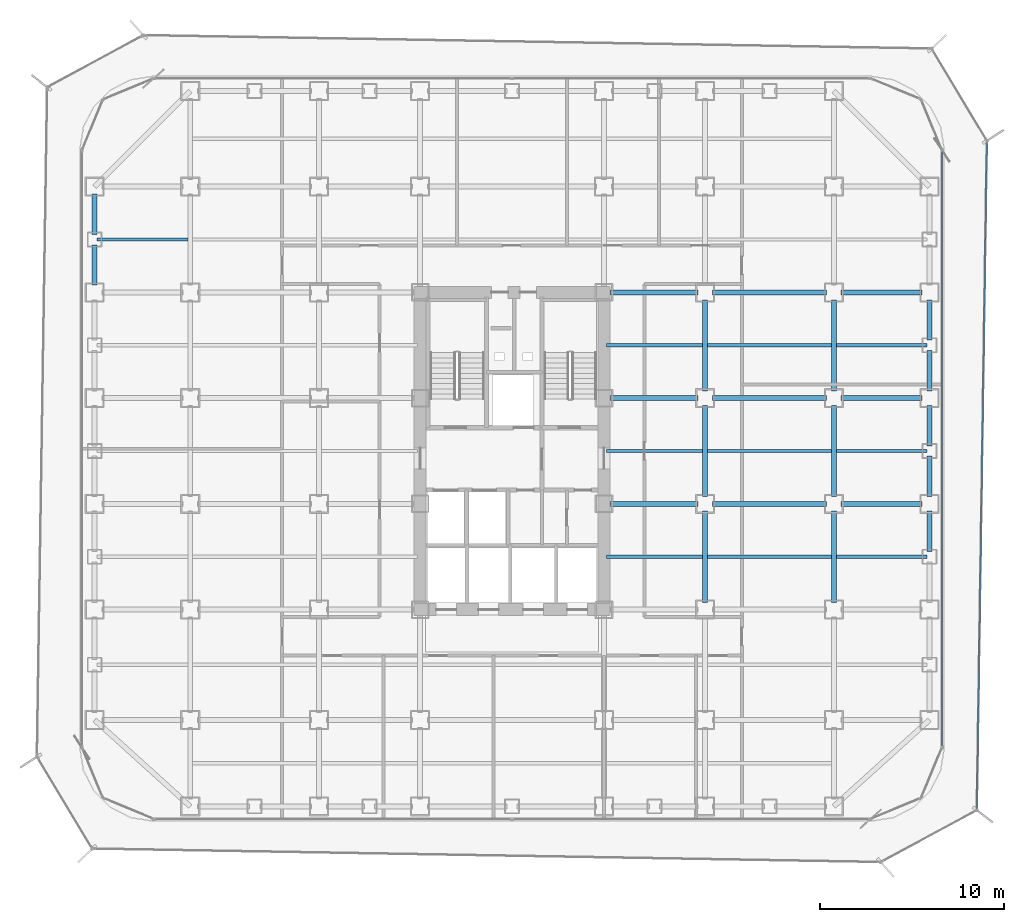
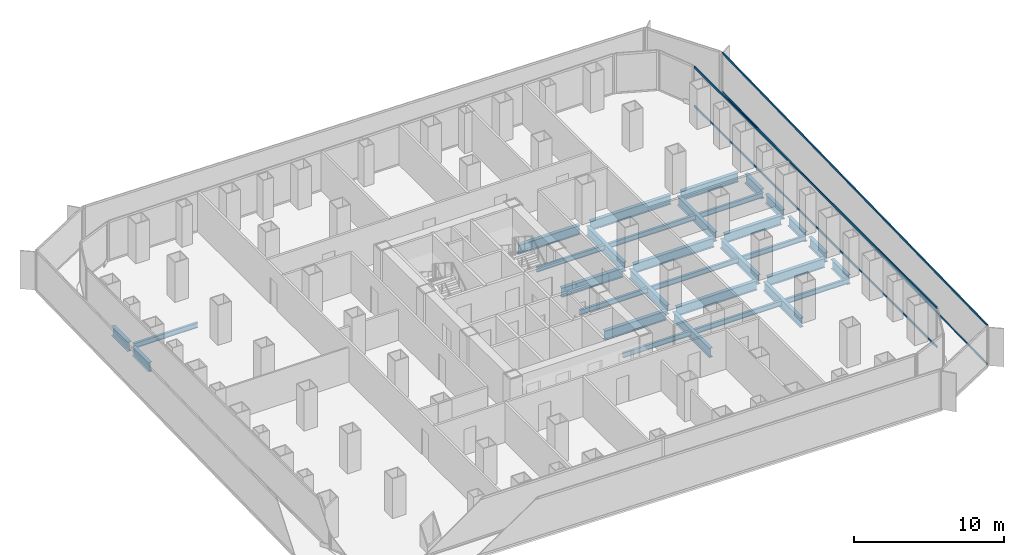
# One storey, part 9 of 22: 32 beams, 4 members, 2 elements without a shape of their own.
"""IFC4 building model written with IfcOpenShell, lengths in metres."""

from ifc_helpers import new_model, si_unit, direction, frame, origin, origin_2d, place, context, subcontext, project, spatial, hollow_rectangle, i_section, extrude, source, transform, mapped, material, layer, layer_set, material_profile, profile_set, type_object, element, aggregate, save


model = new_model("IFC4")

# Units and contexts
model_context = context("Model", 3, precision=1e-05, world=origin(), true_north=direction((0.0, 1.0)))
body_context = subcontext(model_context, "Body", "Model", "MODEL_VIEW")
ifc_project = project(units=[si_unit("LENGTHUNIT", "METRE"), si_unit("AREAUNIT", "SQUARE_METRE"), si_unit("VOLUMEUNIT", "CUBIC_METRE"), si_unit("PLANEANGLEUNIT", "RADIAN"), si_unit("MASSUNIT", "GRAM", prefix="KILO")], contexts=[model_context])

# Site, building, storey
site_placement = place(None, origin())
site = spatial("IfcSite", under=ifc_project, at=site_placement, CompositionType="ELEMENT")
building_placement = place(site_placement, origin())
building = spatial("IfcBuilding", under=site, at=building_placement, Name="Kolveth Station Tower", CompositionType="ELEMENT")
storey_placement = place(building_placement, frame((0.0, 0.0, 72.89990234375)))
storey = spatial("IfcBuildingStorey", under=building, at=storey_placement, Name="L19", CompositionType="ELEMENT", Elevation=72.89990234375)

# Beams
ifc_material_1 = material(Name="Steel S355", Category="steel")
ifc_material_profile_1 = material_profile(ifc_material_1, i_section(OverallWidth=0.26904296875, OverallDepth=0.77490234375, WebThickness=0.01708984375, FlangeThickness=0.0283203125, at=origin_2d()), Name="W760x220")
ifc_profile_set_1 = profile_set([ifc_material_profile_1], Name="Steel S355")
beam_type_1 = type_object("IfcBeamType", Name="Beam_SP1", PredefinedType="SPANDREL", material=ifc_profile_set_1)
shared_shape_1 = source(origin(), body_context, "Body", "SweptSolid", [
    extrude(i_section(OverallWidth=0.26904296875, OverallDepth=0.77490234375, WebThickness=0.01708984375, FlangeThickness=0.0283203125, at=origin_2d()), origin(), (0.0, 0.0, 1.0), 2.2001953125),
])
for number, where, z_axis, x_axis, name in (
    (1, (0.800048828125, 31.89990234375, -0.66748046875), (0.0, 1.0, 0.0), (-1.0, 0.0, 0.0), "L19 Perimeter Spandrel BM-L19-PW-10"),
    (2, (46.199951171875, 20.39990234375, -0.66748046875), (0.0, 1.0, 0.0), (-1.0, 0.0, 0.0), "L19 Perimeter Spandrel BM-L19-PE-6"),
    (3, (46.199951171875, 23.39990234375, -0.66748046875), (0.0, 1.0, 0.0), (-1.0, 0.0, 0.0), "L19 Perimeter Spandrel BM-L19-PE-7"),
):
    element("IfcBeam", number, at=place(storey_placement, frame(where, z_axis=z_axis, x_axis=x_axis)), inside=storey, type_object=beam_type_1, Name=name, PredefinedType="SPANDREL", context=body_context, shape_type="MappedRepresentation", body=[
        mapped(shared_shape_1, transform((0.0, 0.0, 0.0), x_axis=(1.0, 0.0, 0.0), y_axis=(0.0, 1.0, 0.0), z_axis=(0.0, 0.0, 1.0), scale=1.0)),
    ])
shared_shape_2 = source(origin(), body_context, "Body", "SweptSolid", [
    extrude(i_section(OverallWidth=0.26904296875, OverallDepth=0.77490234375, WebThickness=0.01708984375, FlangeThickness=0.0283203125, at=origin_2d()), origin(), (0.0, 0.0, 1.0), 2.190185546875),
])
for number, where, z_axis, x_axis, name in (
    (4, (0.800048828125, 29.14990234375, -0.66748046875), (0.0, 1.0, 0.0), (-1.0, 0.0, 0.0), "L19 Perimeter Spandrel BM-L19-PW-9"),
    (5, (46.199951171875, 14.659912109375, -0.66748046875), (0.0, 1.0, 0.0), (-1.0, 0.0, 0.0), "L19 Perimeter Spandrel BM-L19-PE-4"),
    (6, (46.199951171875, 17.64990234375, -0.66748046875), (0.0, 1.0, 0.0), (-1.0, 0.0, 0.0), "L19 Perimeter Spandrel BM-L19-PE-5"),
    (7, (46.199951171875, 26.159912109375, -0.66748046875), (0.0, 1.0, 0.0), (-1.0, 0.0, 0.0), "L19 Perimeter Spandrel BM-L19-PE-8"),
):
    element("IfcBeam", number, at=place(storey_placement, frame(where, z_axis=z_axis, x_axis=x_axis)), inside=storey, type_object=beam_type_1, Name=name, PredefinedType="SPANDREL", context=body_context, shape_type="MappedRepresentation", body=[
        mapped(shared_shape_2, transform((0.0, 0.0, 0.0), x_axis=(1.0, 0.0, 0.0), y_axis=(0.0, 1.0, 0.0), z_axis=(0.0, 0.0, 1.0), scale=1.0)),
    ])
ifc_material_profile_2 = material_profile(ifc_material_1, i_section(OverallWidth=0.26708984375, OverallDepth=0.76611328125, WebThickness=0.014892578125, FlangeThickness=0.023681640625, at=origin_2d()), Name="W760x185")
ifc_profile_set_2 = profile_set([ifc_material_profile_2], Name="Steel S355")
beam_type_2 = type_object("IfcBeamType", Name="Beam_B3", PredefinedType="BEAM", material=ifc_profile_set_2)
shared_shape_3 = source(origin(), body_context, "Body", "SweptSolid", [
    extrude(i_section(OverallWidth=0.26708984375, OverallDepth=0.76611328125, WebThickness=0.014892578125, FlangeThickness=0.023681640625, at=origin_2d()), origin(), (0.0, 0.0, 1.0), 4.400146484375),
])
for number, where, z_axis, x_axis, name in (
    (8, (41.39990234375, 17.25, -0.662841796875), (1.0, 0.0, 0.0), (0.0, 1.0, 0.0), "L19 Primary Girder BM-L19-GY172-7"),
    (9, (41.39990234375, 23.0, -0.662841796875), (1.0, 0.0, 0.0), (0.0, 1.0, 0.0), "L19 Primary Girder BM-L19-GY230-7"),
    (10, (41.39990234375, 28.75, -0.662841796875), (1.0, 0.0, 0.0), (0.0, 1.0, 0.0), "L19 Primary Girder BM-L19-GY287-7"),
):
    element("IfcBeam", number, at=place(storey_placement, frame(where, z_axis=z_axis, x_axis=x_axis)), inside=storey, type_object=beam_type_2, Name=name, PredefinedType="BEAM", context=body_context, shape_type="MappedRepresentation", body=[
        mapped(shared_shape_3, transform((0.0, 0.0, 0.0), x_axis=(1.0, 0.0, 0.0), y_axis=(0.0, 1.0, 0.0), z_axis=(0.0, 0.0, 1.0), scale=1.0)),
    ])
shared_shape_4 = source(origin(), body_context, "Body", "SweptSolid", [
    extrude(i_section(OverallWidth=0.26708984375, OverallDepth=0.76611328125, WebThickness=0.014892578125, FlangeThickness=0.023681640625, at=origin_2d()), origin(), (0.0, 0.0, 1.0), 6.2001953125),
])
for number, where, z_axis, x_axis, name in (
    (11, (34.39990234375, 17.25, -0.662841796875), (1.0, 0.0, 0.0), (0.0, 1.0, 0.0), "L19 Primary Girder BM-L19-GY172-6"),
    (12, (34.39990234375, 23.0, -0.662841796875), (1.0, 0.0, 0.0), (0.0, 1.0, 0.0), "L19 Primary Girder BM-L19-GY230-6"),
    (13, (34.39990234375, 28.75, -0.662841796875), (1.0, 0.0, 0.0), (0.0, 1.0, 0.0), "L19 Primary Girder BM-L19-GY287-6"),
):
    element("IfcBeam", number, at=place(storey_placement, frame(where, z_axis=z_axis, x_axis=x_axis)), inside=storey, type_object=beam_type_2, Name=name, PredefinedType="BEAM", context=body_context, shape_type="MappedRepresentation", body=[
        mapped(shared_shape_4, transform((0.0, 0.0, 0.0), x_axis=(1.0, 0.0, 0.0), y_axis=(0.0, 1.0, 0.0), z_axis=(0.0, 0.0, 1.0), scale=1.0)),
    ])
shared_shape_5 = source(origin(), body_context, "Body", "SweptSolid", [
    extrude(i_section(OverallWidth=0.26708984375, OverallDepth=0.76611328125, WebThickness=0.014892578125, FlangeThickness=0.023681640625, at=origin_2d()), origin(), (0.0, 0.0, 1.0), 4.739990234375),
])
for number, where, z_axis, x_axis, name in (
    (14, (28.860107421875, 17.25, -0.662841796875), (1.0, 0.0, 0.0), (0.0, 1.0, 0.0), "L19 Primary Girder BM-L19-GY172-5"),
    (15, (28.860107421875, 23.0, -0.662841796875), (1.0, 0.0, 0.0), (0.0, 1.0, 0.0), "L19 Primary Girder BM-L19-GY230-5"),
    (16, (28.860107421875, 28.75, -0.662841796875), (1.0, 0.0, 0.0), (0.0, 1.0, 0.0), "L19 Primary Girder BM-L19-GY287-5"),
):
    element("IfcBeam", number, at=place(storey_placement, frame(where, z_axis=z_axis, x_axis=x_axis)), inside=storey, type_object=beam_type_2, Name=name, PredefinedType="BEAM", context=body_context, shape_type="MappedRepresentation", body=[
        mapped(shared_shape_5, transform((0.0, 0.0, 0.0), x_axis=(1.0, 0.0, 0.0), y_axis=(0.0, 1.0, 0.0), z_axis=(0.0, 0.0, 1.0), scale=1.0)),
    ])
shared_shape_6 = source(origin(), body_context, "Body", "SweptSolid", [
    extrude(i_section(OverallWidth=0.26708984375, OverallDepth=0.76611328125, WebThickness=0.014892578125, FlangeThickness=0.023681640625, at=origin_2d()), origin(), (0.0, 0.0, 1.0), 4.9501953125),
])
for number, where, z_axis, x_axis, name in (
    (17, (34.0, 11.89990234375, -0.662841796875), (0.0, 1.0, 0.0), (-1.0, 0.0, 0.0), "L19 Primary Girder BM-L19-GX340-3"),
    (18, (34.0, 17.64990234375, -0.662841796875), (0.0, 1.0, 0.0), (-1.0, 0.0, 0.0), "L19 Primary Girder BM-L19-GX340-4"),
    (19, (34.0, 23.39990234375, -0.662841796875), (0.0, 1.0, 0.0), (-1.0, 0.0, 0.0), "L19 Primary Girder BM-L19-GX340-5"),
    (20, (41.0, 11.89990234375, -0.662841796875), (0.0, 1.0, 0.0), (-1.0, 0.0, 0.0), "L19 Primary Girder BM-L19-GX410-3"),
    (21, (41.0, 17.64990234375, -0.662841796875), (0.0, 1.0, 0.0), (-1.0, 0.0, 0.0), "L19 Primary Girder BM-L19-GX410-4"),
    (22, (41.0, 23.39990234375, -0.662841796875), (0.0, 1.0, 0.0), (-1.0, 0.0, 0.0), "L19 Primary Girder BM-L19-GX410-5"),
):
    element("IfcBeam", number, at=place(storey_placement, frame(where, z_axis=z_axis, x_axis=x_axis)), inside=storey, type_object=beam_type_2, Name=name, PredefinedType="BEAM", context=body_context, shape_type="MappedRepresentation", body=[
        mapped(shared_shape_6, transform((0.0, 0.0, 0.0), x_axis=(1.0, 0.0, 0.0), y_axis=(0.0, 1.0, 0.0), z_axis=(0.0, 0.0, 1.0), scale=1.0)),
    ])
ifc_material_profile_3 = material_profile(ifc_material_1, i_section(OverallWidth=0.177978515625, OverallDepth=0.406982421875, WebThickness=0.0078125, FlangeThickness=0.0126953125, at=origin_2d()), Name="W410x60")
ifc_profile_set_3 = profile_set([ifc_material_profile_3], Name="Steel S355")
beam_type_3 = type_object("IfcBeamType", Name="Beam_J1", PredefinedType="JOIST", material=ifc_profile_set_3)
shared_shape_7 = source(origin(), body_context, "Body", "SweptSolid", [
    extrude(i_section(OverallWidth=0.177978515625, OverallDepth=0.406982421875, WebThickness=0.0078125, FlangeThickness=0.0126953125, at=origin_2d()), origin(), (0.0, 0.0, 1.0), 4.935791015625),
])
for number, where, z_axis, x_axis, name in (
    (23, (0.9326171875, 31.625, -0.4833984375), (1.0, 0.0, 0.0), (0.0, 1.0, 0.0), "L19 Secondary Joist JST-L19-1-6"),
    (24, (41.131591796875, 14.375, -0.4833984375), (1.0, 0.0, 0.0), (0.0, 1.0, 0.0), "L19 Secondary Joist JST-L19-7-3"),
    (25, (41.131591796875, 20.125, -0.4833984375), (1.0, 0.0, 0.0), (0.0, 1.0, 0.0), "L19 Secondary Joist JST-L19-7-4"),
    (26, (41.131591796875, 25.875, -0.4833984375), (1.0, 0.0, 0.0), (0.0, 1.0, 0.0), "L19 Secondary Joist JST-L19-7-5"),
):
    element("IfcBeam", number, at=place(storey_placement, frame(where, z_axis=z_axis, x_axis=x_axis)), inside=storey, type_object=beam_type_3, Name=name, PredefinedType="JOIST", context=body_context, shape_type="MappedRepresentation", body=[
        mapped(shared_shape_7, transform((0.0, 0.0, 0.0), x_axis=(1.0, 0.0, 0.0), y_axis=(0.0, 1.0, 0.0), z_axis=(0.0, 0.0, 1.0), scale=1.0)),
    ])
shared_shape_8 = source(origin(), body_context, "Body", "SweptSolid", [
    extrude(i_section(OverallWidth=0.177978515625, OverallDepth=0.406982421875, WebThickness=0.0078125, FlangeThickness=0.0126953125, at=origin_2d()), origin(), (0.0, 0.0, 1.0), 6.73681640625),
])
for number, where, z_axis, x_axis, name in (
    (27, (34.131591796875, 14.375, -0.4833984375), (1.0, 0.0, 0.0), (0.0, 1.0, 0.0), "L19 Secondary Joist JST-L19-6-3"),
    (28, (34.131591796875, 20.125, -0.4833984375), (1.0, 0.0, 0.0), (0.0, 1.0, 0.0), "L19 Secondary Joist JST-L19-6-4"),
    (29, (34.131591796875, 25.875, -0.4833984375), (1.0, 0.0, 0.0), (0.0, 1.0, 0.0), "L19 Secondary Joist JST-L19-6-5"),
):
    element("IfcBeam", number, at=place(storey_placement, frame(where, z_axis=z_axis, x_axis=x_axis)), inside=storey, type_object=beam_type_3, Name=name, PredefinedType="JOIST", context=body_context, shape_type="MappedRepresentation", body=[
        mapped(shared_shape_8, transform((0.0, 0.0, 0.0), x_axis=(1.0, 0.0, 0.0), y_axis=(0.0, 1.0, 0.0), z_axis=(0.0, 0.0, 1.0), scale=1.0)),
    ])
shared_shape_9 = source(origin(), body_context, "Body", "SweptSolid", [
    extrude(i_section(OverallWidth=0.177978515625, OverallDepth=0.406982421875, WebThickness=0.0078125, FlangeThickness=0.0126953125, at=origin_2d()), origin(), (0.0, 0.0, 1.0), 5.23681640625),
])
for number, where, z_axis, x_axis, name in (
    (30, (28.631591796875, 14.375, -0.4833984375), (1.0, 0.0, 0.0), (0.0, 1.0, 0.0), "L19 Secondary Joist JST-L19-5-3"),
    (31, (28.631591796875, 20.125, -0.4833984375), (1.0, 0.0, 0.0), (0.0, 1.0, 0.0), "L19 Secondary Joist JST-L19-5-4"),
    (32, (28.631591796875, 25.875, -0.4833984375), (1.0, 0.0, 0.0), (0.0, 1.0, 0.0), "L19 Secondary Joist JST-L19-5-5"),
):
    element("IfcBeam", number, at=place(storey_placement, frame(where, z_axis=z_axis, x_axis=x_axis)), inside=storey, type_object=beam_type_3, Name=name, PredefinedType="JOIST", context=body_context, shape_type="MappedRepresentation", body=[
        mapped(shared_shape_9, transform((0.0, 0.0, 0.0), x_axis=(1.0, 0.0, 0.0), y_axis=(0.0, 1.0, 0.0), z_axis=(0.0, 0.0, 1.0), scale=1.0)),
    ])

# Curtain wall, members
ifc_material_2 = material(Name="Aluminium 6063-T6 and low-E dark glass", Category="aluminium")
ifc_layer_1 = layer(ifc_material_2, 0.179931640625)
ifc_layer_set_1 = layer_set([ifc_layer_1], Name="Aluminium 6063-T6 and low-E dark glass")
curtain_wall_type_1 = type_object("IfcCurtainWallType", Name="CurtainWall_CW-Z1", PredefinedType="NOTDEFINED", material=ifc_layer_set_1)
curtain_wall_1_placement = place(storey_placement, origin())
curtain_wall_1 = element("IfcCurtainWall", 33, at=curtain_wall_1_placement, inside=storey, type_object=curtain_wall_type_1, Name="L19 Inner Thermal Curtain Wall 3", PredefinedType="NOTDEFINED")
ifc_material_3 = material(Name="Black anodized aluminium 6063-T6", Category="aluminium")
ifc_material_profile_4 = material_profile(ifc_material_3, hollow_rectangle(XDim=0.074951171875, YDim=0.159912109375, WallThickness=0.0048828125, at=origin_2d()), Name="ALU-75x160x5")
ifc_profile_set_4 = profile_set([ifc_material_profile_4], Name="Black anodized aluminium 6063-T6")
member_type_1 = type_object("IfcMemberType", Name="Transom_TR1", PredefinedType="USERDEFINED", material=ifc_profile_set_4)
shared_shape_10 = source(origin(), body_context, "Body", "SweptSolid", [
    extrude(hollow_rectangle(XDim=0.074951171875, YDim=0.159912109375, WallThickness=0.0048828125, at=origin_2d()), origin(), (0.0, 0.0, 1.0), 32.35009765625),
])
member_1_placement = place(storey_placement, frame((46.8798828125, 4.074951171875, 0.03759765625), z_axis=(0.0, 1.0, 0.0), x_axis=(-1.0, 0.0, 0.0)))
member_1 = element("IfcMember", 34, at=member_1_placement, type_object=member_type_1, Name="CW-Z1 transom 1.1", ObjectType="TRANSOM", PredefinedType="USERDEFINED", context=body_context, shape_type="MappedRepresentation", body=[
    mapped(shared_shape_10, transform((0.0, 0.0, 0.0), x_axis=(1.0, 0.0, 0.0), y_axis=(0.0, 1.0, 0.0), z_axis=(0.0, 0.0, 1.0), scale=1.0)),
])
member_2_placement = place(storey_placement, frame((46.8798828125, 4.074951171875, 3.20263671875), z_axis=(0.0, 1.0, 0.0), x_axis=(-1.0, 0.0, 0.0)))
member_2 = element("IfcMember", 35, at=member_2_placement, type_object=member_type_1, Name="CW-Z1 transom 1.2", ObjectType="TRANSOM", PredefinedType="USERDEFINED", context=body_context, shape_type="MappedRepresentation", body=[
    mapped(shared_shape_10, transform((0.0, 0.0, 0.0), x_axis=(1.0, 0.0, 0.0), y_axis=(0.0, 1.0, 0.0), z_axis=(0.0, 0.0, 1.0), scale=1.0)),
])
aggregate(curtain_wall_1, [member_1, member_2])

ifc_material_4 = material(Name="Black anodized aluminium 6063-T6 and dark solar glass", Category="aluminium")
ifc_layer_2 = layer(ifc_material_4, 0.159912109375)
ifc_layer_set_2 = layer_set([ifc_layer_2], Name="Black anodized aluminium 6063-T6 and dark solar glass")
curtain_wall_type_2 = type_object("IfcCurtainWallType", Name="OUTER SKIN CW-OS", PredefinedType="NOTDEFINED", material=ifc_layer_set_2)
curtain_wall_2_placement = place(storey_placement, origin())
curtain_wall_2 = element("IfcCurtainWall", 36, at=curtain_wall_2_placement, inside=storey, type_object=curtain_wall_type_2, Name="L19 Outer Ventilated Skin Curtain Wall 2", PredefinedType="NOTDEFINED")
ifc_material_profile_5 = material_profile(ifc_material_3, hollow_rectangle(XDim=0.080078125, YDim=0.14990234375, WallThickness=0.0048828125, at=origin_2d()), Name="ALU-80x150x5")
ifc_profile_set_5 = profile_set([ifc_material_profile_5], Name="Black anodized aluminium 6063-T6")
member_type_2 = type_object("IfcMemberType", Name="Transom_TR-OS", PredefinedType="USERDEFINED", material=ifc_profile_set_5)
shared_shape_11 = source(origin(), body_context, "Body", "SweptSolid", [
    extrude(hollow_rectangle(XDim=0.080078125, YDim=0.14990234375, WallThickness=0.0048828125, at=origin_2d()), origin(), (0.0, 0.0, 1.0), 36.23486328125),
])
member_3_placement = place(storey_placement, frame((48.78271484375, 0.680908203125, 0.0400390625), z_axis=(0.014978003056, 0.99988782342, 0.0), x_axis=(-0.99988782342, 0.014978003056, 0.0)))
member_3 = element("IfcMember", 37, at=member_3_placement, type_object=member_type_2, Name="CW-OS transom 1.1", ObjectType="TRANSOM", PredefinedType="USERDEFINED", context=body_context, shape_type="MappedRepresentation", body=[
    mapped(shared_shape_11, transform((0.0, 0.0, 0.0), x_axis=(1.0, 0.0, 0.0), y_axis=(0.0, 1.0, 0.0), z_axis=(0.0, 0.0, 1.0), scale=1.0)),
])
member_4_placement = place(storey_placement, frame((48.78271484375, 0.680908203125, 3.2001953125), z_axis=(0.014978003056, 0.99988782342, 0.0), x_axis=(-0.99988782342, 0.014978003056, 0.0)))
member_4 = element("IfcMember", 38, at=member_4_placement, type_object=member_type_2, Name="CW-OS transom 1.2", ObjectType="TRANSOM", PredefinedType="USERDEFINED", context=body_context, shape_type="MappedRepresentation", body=[
    mapped(shared_shape_11, transform((0.0, 0.0, 0.0), x_axis=(1.0, 0.0, 0.0), y_axis=(0.0, 1.0, 0.0), z_axis=(0.0, 0.0, 1.0), scale=1.0)),
])
aggregate(curtain_wall_2, [member_3, member_4])

save(model, "model.ifc")
